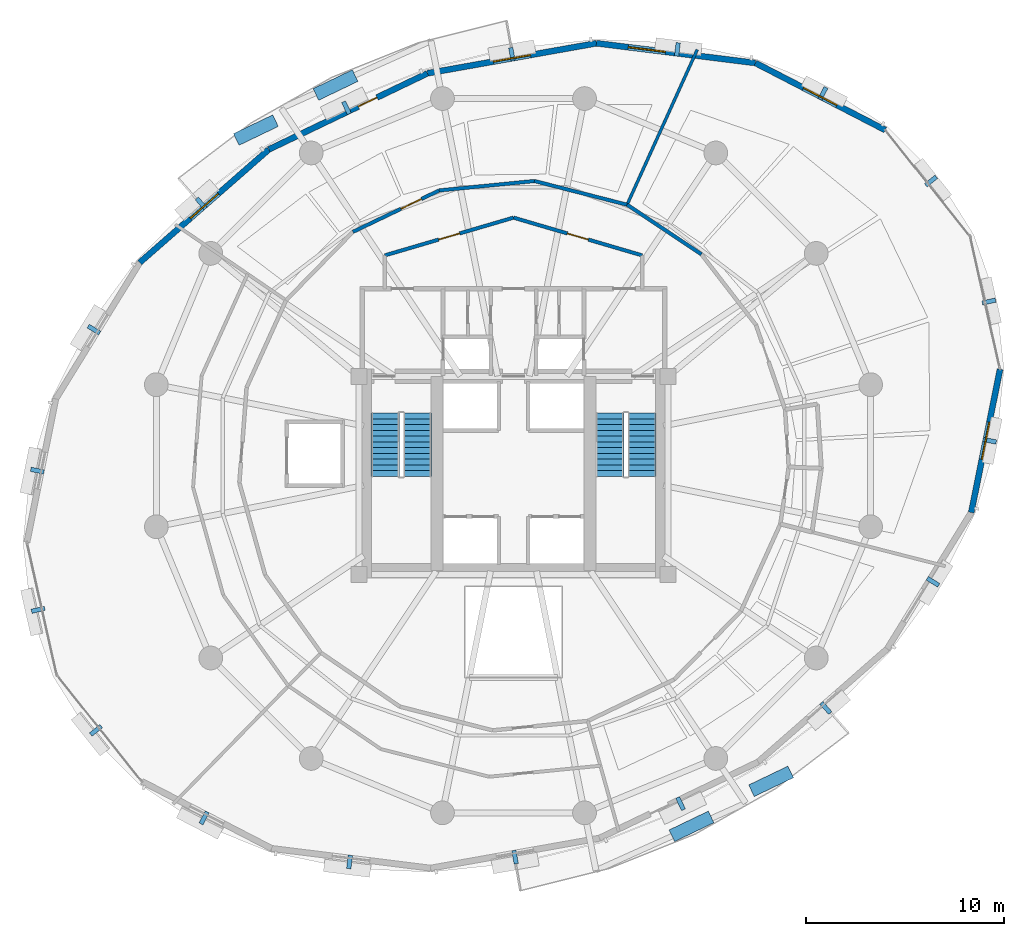
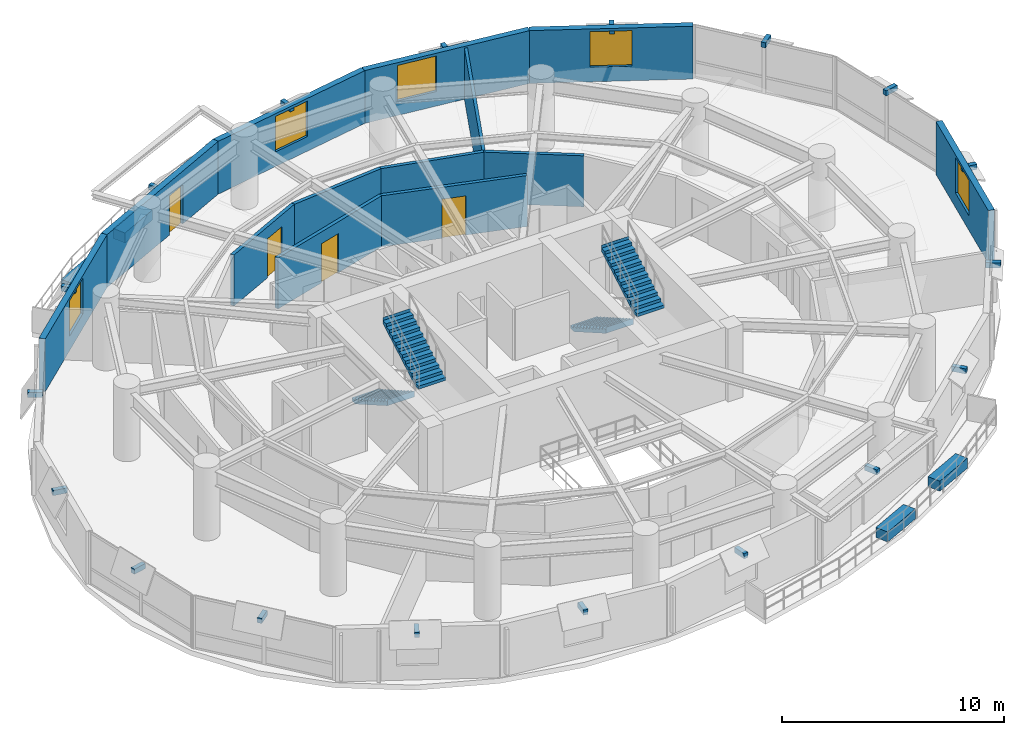
# One storey, part 12 of 15: 22 discrete accessories, 13 walls, 5 windows, 4 doors, 4 stair flights, 9 openings, 2 elements without a shape of their own.
"""IFC4 building model written with IfcOpenShell, lengths in metres."""

from ifc_helpers import new_model, si_unit, direction, frame, frame_2d, origin, origin_2d, place, context, subcontext, project, spatial, polyline, rectangle, outline, extrude, material, layer, layer_set, type_object, element, fill, aggregate, save


model = new_model("IFC4")

# Units and contexts
model_context = context("Model", 3, precision=1e-05, world=origin(), true_north=direction((0.0, 1.0)))
body_context = subcontext(model_context, "Body", "Model", "MODEL_VIEW")
ifc_project = project(units=[si_unit("LENGTHUNIT", "METRE"), si_unit("AREAUNIT", "SQUARE_METRE"), si_unit("VOLUMEUNIT", "CUBIC_METRE"), si_unit("PLANEANGLEUNIT", "RADIAN"), si_unit("MASSUNIT", "GRAM", prefix="KILO"), si_unit("THERMODYNAMICTEMPERATUREUNIT", "KELVIN"), si_unit("POWERUNIT", "WATT")], contexts=[model_context])

# Site, building, storey
site_placement = place(None, origin())
site = spatial("IfcSite", under=ifc_project, at=site_placement, CompositionType="ELEMENT")
building_placement = place(site_placement, origin())
building = spatial("IfcBuilding", under=site, at=building_placement, Name="Ocrelia Relay Tower", CompositionType="ELEMENT")
storey_placement = place(building_placement, frame((0.0, 0.0, 141.800048828125)))
storey = spatial("IfcBuildingStorey", under=building, at=storey_placement, Name="L33", CompositionType="ELEMENT", Elevation=141.800048828125)

# Wall, opening, door
ifc_material_1 = material(Name="Gypsum Fireboard Partition EI60", Category="gypsum")
ifc_layer_1 = layer(ifc_material_1, 0.179931640625, Name="Gypsum Fireboard Partition EI60")
ifc_layer_set_1 = layer_set([ifc_layer_1], Name="Gypsum Fireboard Partition EI60")
wall_type_1 = type_object("IfcWallType", Name="W-CORR-EI60-180", PredefinedType="PARTITIONING", material=ifc_layer_set_1)
wall_1_placement = place(storey_placement, frame((27.5, 36.122802734375, 0.0), z_axis=(0.0, 0.0, 1.0), x_axis=(0.959546654541, 0.281549671923, 0.0)))
wall_1 = element("IfcWall", 1, at=wall_1_placement, inside=storey, type_object=wall_type_1, Name="L33 North Smoke Lobby W Screen Wall", PredefinedType="PARTITIONING", context=body_context, shape_type="SweptSolid", body=[
    extrude(rectangle(XDim=6.77392578125, YDim=0.179931640625, at=frame_2d((3.386962890625, 0.0))), origin(), (0.0, 0.0, 1.0), 2.800048828125),
])
opening_1_placement = place(wall_1_placement, frame((2.8369140625, 0.0, 0.0)))
opening_1 = element("IfcOpeningElement", 2, at=opening_1_placement, cuts=wall_1, Name="Opening D-FD60", PredefinedType="OPENING", context=body_context, shape_type="SweptSolid", body=[
    extrude(rectangle(XDim=1.10009765625, YDim=2.14990234375, at=frame_2d((0.550048828125, 1.074951171875))), frame((0.0, 0.10009765625, 0.0), z_axis=(0.0, -1.0, 0.0), x_axis=(1.0, 0.0, 0.0)), (0.0, 0.0, 1.0), 0.199951171875),
])
ifc_material_2 = material(Name="Timber-core 60-min acoustic fire door", Category="wood")
door_type_1 = type_object("IfcDoorType", Name="DR-LOBBY-FD60-1100", OperationType="NOTDEFINED", PredefinedType="DOOR", material=ifc_material_2)
door_1_placement = place(opening_1_placement, origin())
door_1 = element("IfcDoor", 3, at=door_1_placement, inside=storey, type_object=door_type_1, Name="L33 North Smoke Lobby W Fire Door", OperationType="SINGLE_SWING_LEFT", OverallHeight=2.14990234375, OverallWidth=1.10009765625, PredefinedType="DOOR", context=body_context, shape_type="SweptSolid", body=[
    extrude(rectangle(XDim=1.10009765625, YDim=2.14990234375, at=frame_2d((0.550048828125, 1.074951171875))), frame((0.0, 0.02490234375, 0.0), z_axis=(0.0, -1.0, 0.0), x_axis=(1.0, 0.0, 0.0)), (0.0, 0.0, 1.0), 0.050048828125),
])
fill(opening_1, door_1)

wall_2_placement = place(storey_placement, frame((34.0, 38.030029296875, 0.0), z_axis=(0.0, 0.0, 1.0), x_axis=(0.959546654541, -0.281549671923, 0.0)))
wall_2 = element("IfcWall", 4, at=wall_2_placement, inside=storey, type_object=wall_type_1, Name="L33 North Smoke Lobby E Screen Wall", PredefinedType="PARTITIONING", context=body_context, shape_type="SweptSolid", body=[
    extrude(rectangle(XDim=6.77392578125, YDim=0.179931640625, at=frame_2d((3.386962890625, 0.0))), origin(), (0.0, 0.0, 1.0), 2.800048828125),
])
opening_2_placement = place(wall_2_placement, frame((2.8369140625, 0.0, 0.0)))
opening_2 = element("IfcOpeningElement", 5, at=opening_2_placement, cuts=wall_2, Name="Opening D-FD60", PredefinedType="OPENING", context=body_context, shape_type="SweptSolid", body=[
    extrude(rectangle(XDim=1.10009765625, YDim=2.14990234375, at=frame_2d((0.550048828125, 1.074951171875))), frame((0.0, 0.10009765625, 0.0), z_axis=(0.0, -1.0, 0.0), x_axis=(1.0, 0.0, 0.0)), (0.0, 0.0, 1.0), 0.199951171875),
])
door_2_placement = place(opening_2_placement, origin())
door_2 = element("IfcDoor", 6, at=door_2_placement, inside=storey, type_object=door_type_1, Name="L33 North Smoke Lobby E Fire Door", OperationType="SINGLE_SWING_RIGHT", OverallHeight=2.14990234375, OverallWidth=1.10009765625, PredefinedType="DOOR", context=body_context, shape_type="SweptSolid", body=[
    extrude(rectangle(XDim=1.10009765625, YDim=2.14990234375, at=frame_2d((0.550048828125, 1.074951171875))), frame((0.0, 0.02490234375, 0.0), z_axis=(0.0, -1.0, 0.0), x_axis=(1.0, 0.0, 0.0)), (0.0, 0.0, 1.0), 0.050048828125),
])
fill(opening_2, door_2)

# Walls
wall_3_placement = place(storey_placement, frame((43.496337890625, 36.177734375, 0.0), z_axis=(0.0, 0.0, 1.0), x_axis=(-0.832133474619, 0.55457540553, 0.0)))
element("IfcWall", 7, at=wall_3_placement, inside=storey, type_object=wall_type_1, Name="L33 Shift Staff Lounge Corridor Partition 3", PredefinedType="PARTITIONING", context=body_context, shape_type="SweptSolid", body=[
    extrude(rectangle(XDim=4.514892578125, YDim=0.179931640625, at=frame_2d((2.25732421875, 0.0))), origin(), (0.0, 0.0, 1.0), 2.800048828125),
])
wall_4_placement = place(storey_placement, frame((39.7392578125, 38.681640625, 0.0), z_axis=(0.0, 0.0, 1.0), x_axis=(-0.968793962031, 0.247867422491, 0.0)))
element("IfcWall", 8, at=wall_4_placement, inside=storey, type_object=wall_type_1, Name="L33 Optical Switching Hall A Corridor Partition 1", PredefinedType="PARTITIONING", context=body_context, shape_type="SweptSolid", body=[
    extrude(rectangle(XDim=4.834228515625, YDim=0.179931640625, at=frame_2d((2.4169921875, 0.0))), origin(), (0.0, 0.0, 1.0), 2.800048828125),
])
wall_5_placement = place(storey_placement, frame((35.055908203125, 39.8798828125, 0.0), z_axis=(0.0, 0.0, 1.0), x_axis=(-0.9951446032, -0.098423669524, 0.0)))
element("IfcWall", 9, at=wall_5_placement, inside=storey, type_object=wall_type_1, Name="L33 Optical Switching Hall A Corridor Partition 2", PredefinedType="PARTITIONING", context=body_context, shape_type="SweptSolid", body=[
    extrude(rectangle(XDim=4.83447265625, YDim=0.179931640625, at=frame_2d((2.417236328125, 0.0))), origin(), (0.0, 0.0, 1.0), 2.800048828125),
])

# Wall, opening, door
wall_6_placement = place(storey_placement, frame((30.244873046875, 39.404052734375, 0.0), z_axis=(0.0, 0.0, 1.0), x_axis=(-0.901444237196, -0.432895238165, 0.0)))
wall_6 = element("IfcWall", 10, at=wall_6_placement, inside=storey, type_object=wall_type_1, Name="L33 Optical Switching Hall A Corridor Partition 3", PredefinedType="PARTITIONING", context=body_context, shape_type="SweptSolid", body=[
    extrude(rectangle(XDim=4.83447265625, YDim=0.179931640625, at=frame_2d((2.417236328125, 0.0))), origin(), (0.0, 0.0, 1.0), 2.800048828125),
])
opening_3_placement = place(wall_6_placement, frame((0.99609375, 0.0, 0.0)))
opening_3 = element("IfcOpeningElement", 11, at=opening_3_placement, cuts=wall_6, Name="Opening D-RM115", PredefinedType="OPENING", context=body_context, shape_type="SweptSolid", body=[
    extrude(rectangle(XDim=1.14990234375, YDim=2.14990234375, at=frame_2d((0.574951171875, 1.074951171875))), frame((0.0, 0.10009765625, 0.0), z_axis=(0.0, -1.0, 0.0), x_axis=(1.0, 0.0, 0.0)), (0.0, 0.0, 1.0), 0.199951171875),
])
ifc_material_3 = material(Name="Wide acoustic oak veneer fire door", Category="wood")
door_type_2 = type_object("IfcDoorType", Name="DR-ROOM-1150", OperationType="NOTDEFINED", PredefinedType="DOOR", material=ifc_material_3)
door_3_placement = place(opening_3_placement, origin())
door_3 = element("IfcDoor", 12, at=door_3_placement, inside=storey, type_object=door_type_2, Name="L33 Optical Switching Hall A Entrance Door", OperationType="SINGLE_SWING_RIGHT", OverallHeight=2.14990234375, OverallWidth=1.14990234375, PredefinedType="DOOR", context=body_context, shape_type="SweptSolid", body=[
    extrude(rectangle(XDim=1.14990234375, YDim=2.14990234375, at=frame_2d((0.574951171875, 1.074951171875))), frame((0.0, 0.02490234375, 0.0), z_axis=(0.0, -1.0, 0.0), x_axis=(1.0, 0.0, 0.0)), (0.0, 0.0, 1.0), 0.050048828125),
])
fill(opening_3, door_3)

# Wall, opening, window
ifc_material_4 = material(Name="Precast concrete C40/50 with oxide terracotta", Category="masonry")
ifc_layer_2 = layer(ifc_material_4, 0.300048828125, Name="Precast concrete C40/50 with oxide terracotta")
ifc_layer_set_2 = layer_set([ifc_layer_2], Name="Precast concrete C40/50 with oxide terracotta")
wall_type_2 = type_object("IfcWallType", Name="W-EXT-TERR-300", PredefinedType="SOLIDWALL", material=ifc_layer_set_2)
wall_7_placement = place(storey_placement, frame((52.78369140625, 42.456298828125, 0.0), z_axis=(0.0, 0.0, 1.0), x_axis=(-0.88836881451, 0.459130536346, 0.0)))
wall_7 = element("IfcWall", 13, at=wall_7_placement, inside=storey, type_object=wall_type_2, Name="L33 Oxide Terracotta Facade Wall 02", PredefinedType="SOLIDWALL", context=body_context, shape_type="SweptSolid", body=[
    extrude(rectangle(XDim=7.38330078125, YDim=0.300048828125, at=frame_2d((3.691650390625, 0.0))), origin(), (0.0, 0.0, 1.0), 2.89990234375),
])
opening_4_placement = place(wall_7_placement, frame((2.741943359375, 0.0, 0.800048828125)))
opening_4 = element("IfcOpeningElement", 14, at=opening_4_placement, cuts=wall_7, Name="Opening W-06", PredefinedType="OPENING", context=body_context, shape_type="SweptSolid", body=[
    extrude(rectangle(XDim=1.89990234375, YDim=1.949951171875, at=frame_2d((0.949951171875, 0.97509765625))), frame((0.0, 0.16015625, 0.0), z_axis=(0.0, -1.0, 0.0), x_axis=(1.0, 0.0, 0.0)), (0.0, 0.0, 1.0), 0.320068359375),
])
ifc_material_5 = material(Name="Clear double-glazed low-E glass", Category="glass")
window_type = type_object("IfcWindowType", Name="WIN-Z2-1900x2100", PartitioningType="DOUBLE_PANEL_VERTICAL", PredefinedType="WINDOW", material=ifc_material_5)
window_1_placement = place(opening_4_placement, origin())
window_1 = element("IfcWindow", 15, at=window_1_placement, inside=storey, type_object=window_type, Name="L33 Facade Module Window 02", OverallHeight=1.949951171875, OverallWidth=1.89990234375, PartitioningType="SINGLE_PANEL", PredefinedType="WINDOW", context=body_context, shape_type="SweptSolid", body=[
    extrude(rectangle(XDim=1.89990234375, YDim=1.949951171875, at=frame_2d((0.949951171875, 0.97509765625))), frame((0.0, 0.030029296875, 0.0), z_axis=(0.0, -1.0, 0.0), x_axis=(1.0, 0.0, 0.0)), (0.0, 0.0, 1.0), 0.06005859375),
])
fill(opening_4, window_1)

wall_8_placement = place(storey_placement, frame((46.224609375, 45.84619140625, 0.0), z_axis=(0.0, 0.0, 1.0), x_axis=(-0.992400804001, 0.123047325118, 0.0)))
wall_8 = element("IfcWall", 16, at=wall_8_placement, inside=storey, type_object=wall_type_2, Name="L33 Oxide Terracotta Facade Wall 03", PredefinedType="SOLIDWALL", context=body_context, shape_type="SweptSolid", body=[
    extrude(rectangle(XDim=8.09521484375, YDim=0.300048828125, at=frame_2d((4.047607421875, 0.0))), origin(), (0.0, 0.0, 1.0), 2.89990234375),
])
opening_5_placement = place(wall_8_placement, frame((4.580078125, 0.0, 0.800048828125)))
opening_5 = element("IfcOpeningElement", 17, at=opening_5_placement, cuts=wall_8, Name="Opening W-06", PredefinedType="OPENING", context=body_context, shape_type="SweptSolid", body=[
    extrude(rectangle(XDim=1.89990234375, YDim=1.949951171875, at=frame_2d((0.949951171875, 0.97509765625))), frame((0.0, 0.16015625, 0.0), z_axis=(0.0, -1.0, 0.0), x_axis=(1.0, 0.0, 0.0)), (0.0, 0.0, 1.0), 0.320068359375),
])
window_2_placement = place(opening_5_placement, origin())
window_2 = element("IfcWindow", 18, at=window_2_placement, inside=storey, type_object=window_type, Name="L33 Facade Module Window 03", OverallHeight=1.949951171875, OverallWidth=1.89990234375, PartitioningType="SINGLE_PANEL", PredefinedType="WINDOW", context=body_context, shape_type="SweptSolid", body=[
    extrude(rectangle(XDim=1.89990234375, YDim=1.949951171875, at=frame_2d((0.949951171875, 0.97509765625))), frame((0.0, 0.030029296875, 0.0), z_axis=(0.0, -1.0, 0.0), x_axis=(1.0, 0.0, 0.0)), (0.0, 0.0, 1.0), 0.06005859375),
])
fill(opening_5, window_2)

wall_9_placement = place(storey_placement, frame((38.19091796875, 46.84228515625, 0.0), z_axis=(0.0, 0.0, 1.0), x_axis=(-0.984567142926, -0.175007260052, 0.0)))
wall_9 = element("IfcWall", 19, at=wall_9_placement, inside=storey, type_object=wall_type_2, Name="L33 Oxide Terracotta Facade Wall 04", PredefinedType="SOLIDWALL", context=body_context, shape_type="SweptSolid", body=[
    extrude(rectangle(XDim=8.6728515625, YDim=0.300048828125, at=frame_2d((4.33642578125, 0.0))), origin(), (0.0, 0.0, 1.0), 2.89990234375),
])
opening_6_placement = place(wall_9_placement, frame((3.385986328125, 0.0, 0.800048828125)))
opening_6 = element("IfcOpeningElement", 20, at=opening_6_placement, cuts=wall_9, Name="Opening W-06", PredefinedType="OPENING", context=body_context, shape_type="SweptSolid", body=[
    extrude(rectangle(XDim=1.89990234375, YDim=1.949951171875, at=frame_2d((0.949951171875, 0.97509765625))), frame((0.0, 0.16015625, 0.0), z_axis=(0.0, -1.0, 0.0), x_axis=(1.0, 0.0, 0.0)), (0.0, 0.0, 1.0), 0.320068359375),
])
window_3_placement = place(opening_6_placement, origin())
window_3 = element("IfcWindow", 21, at=window_3_placement, inside=storey, type_object=window_type, Name="L33 Facade Module Window 04", OverallHeight=1.949951171875, OverallWidth=1.89990234375, PartitioningType="SINGLE_PANEL", PredefinedType="WINDOW", context=body_context, shape_type="SweptSolid", body=[
    extrude(rectangle(XDim=1.89990234375, YDim=1.949951171875, at=frame_2d((0.949951171875, 0.97509765625))), frame((0.0, 0.030029296875, 0.0), z_axis=(0.0, -1.0, 0.0), x_axis=(1.0, 0.0, 0.0)), (0.0, 0.0, 1.0), 0.06005859375),
])
fill(opening_6, window_3)

# Wall, opening, door
wall_10_placement = place(storey_placement, frame((29.65185546875, 45.324462890625, 0.0), z_axis=(0.0, 0.0, 1.0), x_axis=(-0.901452771154, -0.432877466933, 0.0)))
wall_10 = element("IfcWall", 22, at=wall_10_placement, inside=storey, type_object=wall_type_2, Name="L33 Oxide Terracotta Facade Wall 05", PredefinedType="SOLIDWALL", context=body_context, shape_type="SweptSolid", body=[
    extrude(rectangle(XDim=8.890869140625, YDim=0.300048828125, at=frame_2d((4.4453125, 0.0))), origin(), (0.0, 0.0, 1.0), 2.89990234375),
])
opening_7_placement = place(wall_10_placement, frame((2.830078125, 0.0, 0.0)))
opening_7 = element("IfcOpeningElement", 23, at=opening_7_placement, cuts=wall_10, Name="Opening DB-105", PredefinedType="OPENING", context=body_context, shape_type="SweptSolid", body=[
    extrude(rectangle(XDim=1.050048828125, YDim=2.14990234375, at=frame_2d((0.52490234375, 1.074951171875))), frame((0.0, 0.16015625, 0.0), z_axis=(0.0, -1.0, 0.0), x_axis=(1.0, 0.0, 0.0)), (0.0, 0.0, 1.0), 0.320068359375),
])
ifc_material_6 = material(Name="Thermally broken aluminium and clear glass", Category="aluminium")
door_type_3 = type_object("IfcDoorType", Name="DR-BALC-1050", OperationType="NOTDEFINED", PredefinedType="DOOR", material=ifc_material_6)
door_4_placement = place(opening_7_placement, origin())
door_4 = element("IfcDoor", 24, at=door_4_placement, inside=storey, type_object=door_type_3, Name="L33 Planted Loggia Balcony Door B1", OperationType="SINGLE_SWING_LEFT", OverallHeight=2.14990234375, OverallWidth=1.050048828125, PredefinedType="DOOR", context=body_context, shape_type="SweptSolid", body=[
    extrude(rectangle(XDim=1.050048828125, YDim=2.14990234375, at=frame_2d((0.52490234375, 1.074951171875))), frame((0.0, 0.02490234375, 0.0), z_axis=(0.0, -1.0, 0.0), x_axis=(1.0, 0.0, 0.0)), (0.0, 0.0, 1.0), 0.050048828125),
])
fill(opening_7, door_4)

# Wall, opening, window
wall_11_placement = place(storey_placement, frame((21.63720703125, 41.475830078125, 0.0), z_axis=(0.0, 0.0, 1.0), x_axis=(-0.752158034989, -0.658982769427, 0.0)))
wall_11 = element("IfcWall", 25, at=wall_11_placement, inside=storey, type_object=wall_type_2, Name="L33 Oxide Terracotta Facade Wall 06", PredefinedType="SOLIDWALL", context=body_context, shape_type="SweptSolid", body=[
    extrude(rectangle(XDim=8.6728515625, YDim=0.300048828125, at=frame_2d((4.33642578125, 0.0))), origin(), (0.0, 0.0, 1.0), 2.89990234375),
])
opening_8_placement = place(wall_11_placement, frame((3.385986328125, 0.0, 0.800048828125)))
opening_8 = element("IfcOpeningElement", 26, at=opening_8_placement, cuts=wall_11, Name="Opening W-06", PredefinedType="OPENING", context=body_context, shape_type="SweptSolid", body=[
    extrude(rectangle(XDim=1.89990234375, YDim=1.949951171875, at=frame_2d((0.949951171875, 0.97509765625))), frame((0.0, 0.16015625, 0.0), z_axis=(0.0, -1.0, 0.0), x_axis=(1.0, 0.0, 0.0)), (0.0, 0.0, 1.0), 0.320068359375),
])
window_4_placement = place(opening_8_placement, origin())
window_4 = element("IfcWindow", 27, at=window_4_placement, inside=storey, type_object=window_type, Name="L33 Facade Module Window 06", OverallHeight=1.949951171875, OverallWidth=1.89990234375, PartitioningType="SINGLE_PANEL", PredefinedType="WINDOW", context=body_context, shape_type="SweptSolid", body=[
    extrude(rectangle(XDim=1.89990234375, YDim=1.949951171875, at=frame_2d((0.949951171875, 0.97509765625))), frame((0.0, 0.030029296875, 0.0), z_axis=(0.0, -1.0, 0.0), x_axis=(1.0, 0.0, 0.0)), (0.0, 0.0, 1.0), 0.06005859375),
])
fill(opening_8, window_4)

wall_12_placement = place(storey_placement, frame((57.1318359375, 23.1318359375, 0.0), z_axis=(0.0, 0.0, 1.0), x_axis=(0.197146195015, 0.980374100939, 0.0)))
wall_12 = element("IfcWall", 28, at=wall_12_placement, inside=storey, type_object=wall_type_2, Name="L33 Oxide Terracotta Facade Wall 17", PredefinedType="SOLIDWALL", context=body_context, shape_type="SweptSolid", body=[
    extrude(rectangle(XDim=7.38330078125, YDim=0.300048828125, at=frame_2d((3.691650390625, 0.0))), origin(), (0.0, 0.0, 1.0), 2.89990234375),
])
opening_9_placement = place(wall_12_placement, frame((2.741943359375, 0.0, 0.800048828125)))
opening_9 = element("IfcOpeningElement", 29, at=opening_9_placement, cuts=wall_12, Name="Opening W-06", PredefinedType="OPENING", context=body_context, shape_type="SweptSolid", body=[
    extrude(rectangle(XDim=1.89990234375, YDim=1.949951171875, at=frame_2d((0.949951171875, 0.97509765625))), frame((0.0, 0.16015625, 0.0), z_axis=(0.0, -1.0, 0.0), x_axis=(1.0, 0.0, 0.0)), (0.0, 0.0, 1.0), 0.320068359375),
])
window_5_placement = place(opening_9_placement, origin())
window_5 = element("IfcWindow", 30, at=window_5_placement, inside=storey, type_object=window_type, Name="L33 Facade Module Window 17", OverallHeight=1.949951171875, OverallWidth=1.89990234375, PartitioningType="SINGLE_PANEL", PredefinedType="WINDOW", context=body_context, shape_type="SweptSolid", body=[
    extrude(rectangle(XDim=1.89990234375, YDim=1.949951171875, at=frame_2d((0.949951171875, 0.97509765625))), frame((0.0, 0.030029296875, 0.0), z_axis=(0.0, -1.0, 0.0), x_axis=(1.0, 0.0, 0.0)), (0.0, 0.0, 1.0), 0.06005859375),
])
fill(opening_9, window_5)

# Wall
ifc_material_7 = material(Name="Acoustic Fireboard Partition EI60", Category="gypsum")
ifc_layer_3 = layer(ifc_material_7, 0.14990234375, Name="Acoustic Fireboard Partition EI60")
ifc_layer_set_3 = layer_set([ifc_layer_3], Name="Acoustic Fireboard Partition EI60")
wall_type_3 = type_object("IfcWallType", Name="W-PART-150", PredefinedType="PARTITIONING", material=ifc_layer_set_3)
wall_13_placement = place(storey_placement, frame((39.7392578125, 38.681640625, 0.0), z_axis=(0.0, 0.0, 1.0), x_axis=(0.412310301836, 0.911043475911, 0.0)))
element("IfcWall", 31, at=wall_13_placement, inside=storey, type_object=wall_type_3, Name="L33 Shift Staff Lounge Radial Partition", PredefinedType="PARTITIONING", context=body_context, shape_type="SweptSolid", body=[
    extrude(rectangle(XDim=8.604736328125, YDim=0.14990234375, at=frame_2d((4.30224609375, 0.0))), origin(), (0.0, 0.0, 1.0), 2.800048828125),
])

# Stair, stair flights
ifc_material_8 = material(Name="Concrete C50/60", Category="concrete")
stair_type = type_object("IfcStairType", Name="ST-DL-1420-R167", PredefinedType="HALF_TURN_STAIR", material=ifc_material_8)
stair_1_placement = place(storey_placement, origin())
stair_1 = element("IfcStair", 32, at=stair_1_placement, inside=storey, type_object=stair_type, Name="L33 West Core Exit Stair ST1", PredefinedType="HALF_TURN_STAIR")
stair_flight_type = type_object("IfcStairFlightType", Name="STF-DL-1420-R167", PredefinedType="STRAIGHT", material=ifc_material_8)
stair_flight_1_placement = place(storey_placement, frame((27.52001953125, 28.14990234375, 0.0), z_axis=(0.0, 0.0, 1.0), x_axis=(0.0, -1.0, 0.0)))
stair_flight_1 = element("IfcStairFlight", 33, at=stair_flight_1_placement, type_object=stair_flight_type, Name="ST1 flight 1", NumberOfRisers=12, NumberOfTreads=11, PredefinedType="STRAIGHT", RiserHeight=0.166666667, TreadLength=0.29, context=body_context, shape_type="SweptSolid", body=[
    extrude(outline(polyline([(-0.008056640625, 0.0), (-0.008056640625, 0.166748046875), (0.0, 0.166748046875), (0.2900390625, 0.166748046875), (0.2900390625, 0.333251953125), (0.580078125, 0.333251953125), (0.580078125, 0.5), (0.8701171875, 0.5), (0.8701171875, 0.666748046875), (1.159912109375, 0.666748046875), (1.159912109375, 0.833251953125), (1.449951171875, 0.833251953125), (1.449951171875, 1.0), (1.739990234375, 1.0), (1.739990234375, 1.166748046875), (2.030029296875, 1.166748046875), (2.030029296875, 1.333251953125), (2.320068359375, 1.333251953125), (2.320068359375, 1.5), (2.610107421875, 1.5), (2.610107421875, 1.666748046875), (2.89990234375, 1.666748046875), (2.89990234375, 1.833251953125), (3.18994140625, 1.833251953125), (3.18994140625, 2.0), (3.197998046875, 2.0), (3.197998046875, 1.660400390625), (0.30078125, 0.0), (-0.008056640625, 0.0)])), frame((0.0, 0.7099609375, 0.0), z_axis=(0.0, -1.0, 0.0), x_axis=(1.0, 0.0, 0.0)), (0.0, 0.0, 1.0), 1.419921875),
])
stair_flight_2_placement = place(storey_placement, frame((29.139892578125, 24.9599609375, 2.0), z_axis=(0.0, 0.0, 1.0), x_axis=(0.0, 1.0, 0.0)))
stair_flight_2 = element("IfcStairFlight", 34, at=stair_flight_2_placement, type_object=stair_flight_type, Name="ST1 flight 2", NumberOfRisers=12, NumberOfTreads=11, PredefinedType="STRAIGHT", RiserHeight=0.166666667, TreadLength=0.29, context=body_context, shape_type="SweptSolid", body=[
    extrude(outline(polyline([(-0.008056640625, 0.0), (-0.008056640625, 0.166748046875), (0.0, 0.166748046875), (0.2900390625, 0.166748046875), (0.2900390625, 0.333251953125), (0.580078125, 0.333251953125), (0.580078125, 0.5), (0.8701171875, 0.5), (0.8701171875, 0.666748046875), (1.159912109375, 0.666748046875), (1.159912109375, 0.833251953125), (1.449951171875, 0.833251953125), (1.449951171875, 1.0), (1.739990234375, 1.0), (1.739990234375, 1.166748046875), (2.030029296875, 1.166748046875), (2.030029296875, 1.333251953125), (2.320068359375, 1.333251953125), (2.320068359375, 1.5), (2.610107421875, 1.5), (2.610107421875, 1.666748046875), (2.89990234375, 1.666748046875), (2.89990234375, 1.833251953125), (3.18994140625, 1.833251953125), (3.18994140625, 2.0), (3.197998046875, 2.0), (3.197998046875, 1.660400390625), (0.30078125, 0.0), (-0.008056640625, 0.0)])), frame((0.0, 0.7099609375, 0.0), z_axis=(0.0, -1.0, 0.0), x_axis=(1.0, 0.0, 0.0)), (0.0, 0.0, 1.0), 1.419921875),
])
aggregate(stair_1, [stair_flight_1, stair_flight_2])

stair_2_placement = place(storey_placement, origin())
stair_2 = element("IfcStair", 35, at=stair_2_placement, inside=storey, type_object=stair_type, Name="L33 East Core Exit Stair ST2", PredefinedType="HALF_TURN_STAIR")
stair_flight_3_placement = place(storey_placement, frame((38.8701171875, 28.14990234375, 0.0), z_axis=(0.0, 0.0, 1.0), x_axis=(0.0, -1.0, 0.0)))
stair_flight_3 = element("IfcStairFlight", 36, at=stair_flight_3_placement, type_object=stair_flight_type, Name="ST2 flight 1", NumberOfRisers=12, NumberOfTreads=11, PredefinedType="STRAIGHT", RiserHeight=0.166666667, TreadLength=0.29, context=body_context, shape_type="SweptSolid", body=[
    extrude(outline(polyline([(-0.008056640625, 0.0), (-0.008056640625, 0.166748046875), (0.0, 0.166748046875), (0.2900390625, 0.166748046875), (0.2900390625, 0.333251953125), (0.580078125, 0.333251953125), (0.580078125, 0.5), (0.8701171875, 0.5), (0.8701171875, 0.666748046875), (1.159912109375, 0.666748046875), (1.159912109375, 0.833251953125), (1.449951171875, 0.833251953125), (1.449951171875, 1.0), (1.739990234375, 1.0), (1.739990234375, 1.166748046875), (2.030029296875, 1.166748046875), (2.030029296875, 1.333251953125), (2.320068359375, 1.333251953125), (2.320068359375, 1.5), (2.610107421875, 1.5), (2.610107421875, 1.666748046875), (2.89990234375, 1.666748046875), (2.89990234375, 1.833251953125), (3.18994140625, 1.833251953125), (3.18994140625, 2.0), (3.197998046875, 2.0), (3.197998046875, 1.660400390625), (0.30078125, 0.0), (-0.008056640625, 0.0)])), frame((0.0, 0.7099609375, 0.0), z_axis=(0.0, -1.0, 0.0), x_axis=(1.0, 0.0, 0.0)), (0.0, 0.0, 1.0), 1.419921875),
])
stair_flight_4_placement = place(storey_placement, frame((40.489990234375, 24.9599609375, 2.0), z_axis=(0.0, 0.0, 1.0), x_axis=(0.0, 1.0, 0.0)))
stair_flight_4 = element("IfcStairFlight", 37, at=stair_flight_4_placement, type_object=stair_flight_type, Name="ST2 flight 2", NumberOfRisers=12, NumberOfTreads=11, PredefinedType="STRAIGHT", RiserHeight=0.166666667, TreadLength=0.29, context=body_context, shape_type="SweptSolid", body=[
    extrude(outline(polyline([(-0.008056640625, 0.0), (-0.008056640625, 0.166748046875), (0.0, 0.166748046875), (0.2900390625, 0.166748046875), (0.2900390625, 0.333251953125), (0.580078125, 0.333251953125), (0.580078125, 0.5), (0.8701171875, 0.5), (0.8701171875, 0.666748046875), (1.159912109375, 0.666748046875), (1.159912109375, 0.833251953125), (1.449951171875, 0.833251953125), (1.449951171875, 1.0), (1.739990234375, 1.0), (1.739990234375, 1.166748046875), (2.030029296875, 1.166748046875), (2.030029296875, 1.333251953125), (2.320068359375, 1.333251953125), (2.320068359375, 1.5), (2.610107421875, 1.5), (2.610107421875, 1.666748046875), (2.89990234375, 1.666748046875), (2.89990234375, 1.833251953125), (3.18994140625, 1.833251953125), (3.18994140625, 2.0), (3.197998046875, 2.0), (3.197998046875, 1.660400390625), (0.30078125, 0.0), (-0.008056640625, 0.0)])), frame((0.0, 0.7099609375, 0.0), z_axis=(0.0, -1.0, 0.0), x_axis=(1.0, 0.0, 0.0)), (0.0, 0.0, 1.0), 1.419921875),
])
aggregate(stair_2, [stair_flight_3, stair_flight_4])

# Discrete accessories
ifc_material_9 = material(Name="Precast concrete C40/50 planter with highland greenery", Category="concrete")
discrete_accessory_type_1 = type_object("IfcDiscreteAccessoryType", Name="ACC-BALC-PLANTER", PredefinedType="USERDEFINED", material=ifc_material_9)
for number, where, z_axis, x_axis, name in (
    (38, (25.006103515625, 44.729736328125, 0.0), (0.0, 0.0, 1.0), (0.901456240251, 0.432870242582, 0.0), "L33 Balcony Terracotta Planter with Greenery B1"),
    (39, (20.98291015625, 42.45458984375, 0.0), (0.0, 0.0, 1.0), (0.901456240251, 0.432870242582, 0.0), "L33 Balcony Terracotta Planter B1-2"),
    (40, (42.993896484375, 7.270263671875, 0.0), (0.0, 0.0, 1.0), (-0.901456240251, -0.432870242582, 0.0), "L33 Balcony Terracotta Planter with Greenery B2"),
    (41, (47.01708984375, 9.54541015625, 0.0), (0.0, 0.0, 1.0), (-0.901456240251, -0.432870242582, 0.0), "L33 Balcony Terracotta Planter B2-2"),
):
    element("IfcDiscreteAccessory", number, at=place(storey_placement, frame(where, z_axis=z_axis, x_axis=x_axis)), inside=storey, type_object=discrete_accessory_type_1, Name=name, ObjectType="PLANTER", PredefinedType="USERDEFINED", context=body_context, shape_type="SweptSolid", body=[
        extrude(rectangle(XDim=2.199951171875, YDim=0.64990234375, at=origin_2d()), origin(), (0.0, 0.0, 1.0), 0.550048828125),
    ])
ifc_material_10 = material(Name="Steel S355", Category="steel")
discrete_accessory_type_2 = type_object("IfcDiscreteAccessoryType", Name="ACC-VISOR-BRACKET", PredefinedType="BRACKET", material=ifc_material_10)
for number, where, z_axis, x_axis, name in (
    (42, (55.09765625, 39.87890625, 2.60009765625), (0.0, 0.0, 1.0), (-0.624148881208, 0.781305429449, 0.0), "L33 Visor Mounting Bracket 01"),
    (43, (49.634033203125, 44.30322265625, 2.60009765625), (0.0, 0.0, 1.0), (-0.88836891753, 0.459130337013, 0.0), "L33 Visor Mounting Bracket 02"),
    (44, (42.28271484375, 46.529541015625, 2.60009765625), (0.0, 0.0, 1.0), (-0.992400538758, 0.123049464335, 0.0), "L33 Visor Mounting Bracket 03"),
    (45, (33.920654296875, 46.283203125, 2.60009765625), (0.0, 0.0, 1.0), (-0.984567717702, -0.17500402641, 0.0), "L33 Visor Mounting Bracket 04"),
    (46, (25.55810546875, 43.580322265625, 2.60009765625), (0.0, 0.0, 1.0), (-0.901453190429, -0.432876593806, 0.0), "L33 Visor Mounting Bracket 05"),
    (47, (18.219970703125, 38.743896484375, 2.60009765625), (0.0, 0.0, 1.0), (-0.752168709918, -0.658970584943, 0.0), "L33 Visor Mounting Bracket 06"),
    (48, (12.799560546875, 32.3720703125, 2.60009765625), (0.0, 0.0, 1.0), (-0.524466805502, -0.851430895568, 0.0), "L33 Visor Mounting Bracket 07"),
    (49, (9.9404296875, 25.24267578125, 2.60009765625), (0.0, 0.0, 1.0), (-0.197134441849, -0.980376464343, 0.0), "L33 Visor Mounting Bracket 08"),
    (50, (9.977294921875, 18.21240234375, 2.60009765625), (0.0, 0.0, 1.0), (0.219506314656, -0.975611079184, 0.0), "L33 Visor Mounting Bracket 09"),
    (51, (12.90234375, 12.12109375, 2.60009765625), (0.0, 0.0, 1.0), (0.624148881208, -0.781305429449, 0.0), "L33 Visor Mounting Bracket 10"),
    (52, (18.365966796875, 7.69677734375, 2.60009765625), (0.0, 0.0, 1.0), (0.88836891753, -0.459130337013, 0.0), "L33 Visor Mounting Bracket 11"),
    (53, (25.71728515625, 5.470458984375, 2.60009765625), (0.0, 0.0, 1.0), (0.992400538758, -0.123049464335, 0.0), "L33 Visor Mounting Bracket 12"),
    (54, (34.079345703125, 5.716796875, 2.60009765625), (0.0, 0.0, 1.0), (0.984567717702, 0.17500402641, 0.0), "L33 Visor Mounting Bracket 13"),
    (55, (42.44189453125, 8.419677734375, 2.60009765625), (0.0, 0.0, 1.0), (0.901453190429, 0.432876593806, 0.0), "L33 Visor Mounting Bracket 14"),
    (56, (49.780029296875, 13.256103515625, 2.60009765625), (0.0, 0.0, 1.0), (0.752168709918, 0.658970584943, 0.0), "L33 Visor Mounting Bracket 15"),
    (57, (55.200439453125, 19.6279296875, 2.60009765625), (0.0, 0.0, 1.0), (0.524466805502, 0.851430895568, 0.0), "L33 Visor Mounting Bracket 16"),
    (58, (58.0595703125, 26.75732421875, 2.60009765625), (0.0, 0.0, 1.0), (0.197134441849, 0.980376464343, 0.0), "L33 Visor Mounting Bracket 17"),
    (59, (58.022705078125, 33.78759765625, 2.60009765625), (0.0, 0.0, 1.0), (-0.219506314656, 0.975611079184, 0.0), "L33 Visor Mounting Bracket 18"),
):
    element("IfcDiscreteAccessory", number, at=place(storey_placement, frame(where, z_axis=z_axis, x_axis=x_axis)), inside=storey, type_object=discrete_accessory_type_2, Name=name, PredefinedType="BRACKET", context=body_context, shape_type="SweptSolid", body=[
        extrude(rectangle(XDim=0.219970703125, YDim=0.679931640625, at=origin_2d()), origin(), (0.0, 0.0, 1.0), 0.280029296875),
    ])

save(model, "model.ifc")
